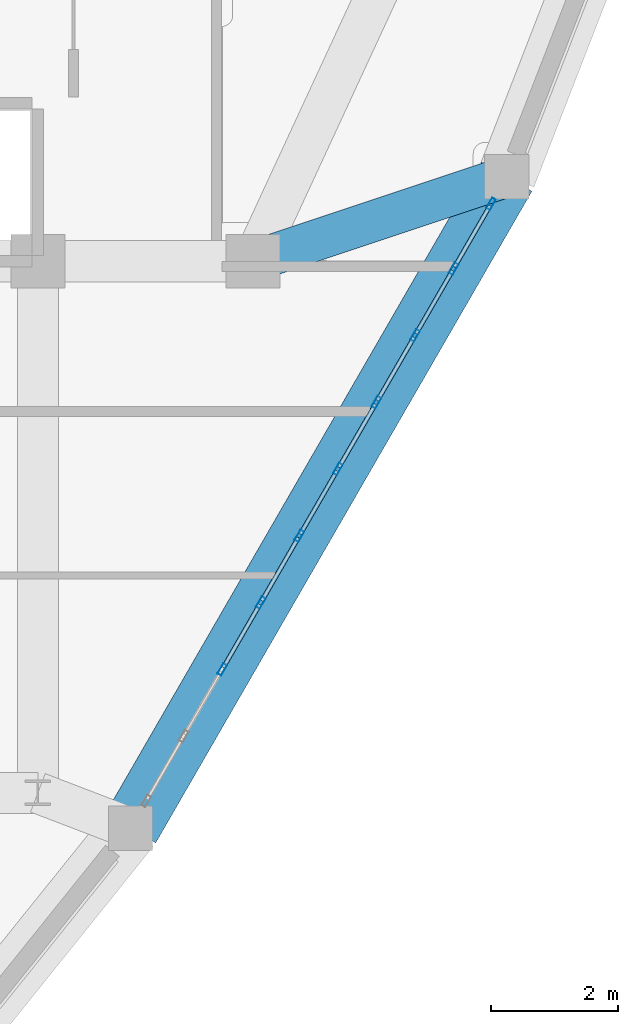
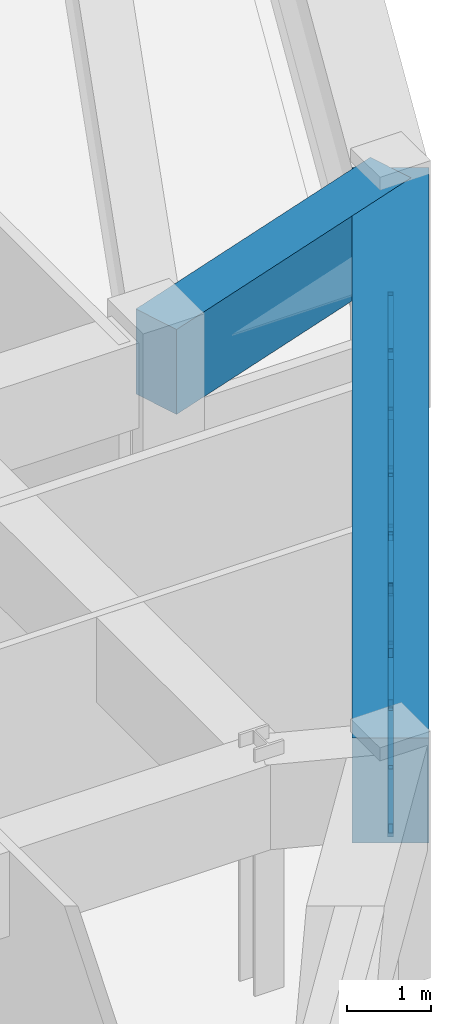
# One storey, part 7 of 14: 24 members, 2 beams, 1 element without a shape of its own.
"""IFC4 building model written with IfcOpenShell, lengths in metres."""

from ifc_helpers import new_model, si_unit, derived_unit, direction, frame, origin, origin_2d, place, context, subcontext, project, spatial, rectangle, hollow_rectangle, extrude, source, transform, mapped, material, layer, layer_set, material_profile, profile_set, type_object, element, aggregate, save


model = new_model("IFC4")

# Units and contexts
model_context = context("Model", 3, precision=1e-05, world=origin(), true_north=direction((0.0, 1.0)))
body_context = subcontext(model_context, "Body", "Model", "MODEL_VIEW")
ifc_project = project(units=[si_unit("LENGTHUNIT", "METRE"), si_unit("AREAUNIT", "SQUARE_METRE"), si_unit("VOLUMEUNIT", "CUBIC_METRE"), si_unit("PLANEANGLEUNIT", "RADIAN"), si_unit("MASSUNIT", "GRAM", prefix="KILO"), derived_unit("THERMALTRANSMITTANCEUNIT", [(si_unit("POWERUNIT", "WATT"), 1), (si_unit("LENGTHUNIT", "METRE"), -2), (si_unit("THERMODYNAMICTEMPERATUREUNIT", "KELVIN"), -1)])], contexts=[model_context])

# Site, building, storey
site_placement = place(None, origin())
site = spatial("IfcSite", under=ifc_project, at=site_placement, CompositionType="ELEMENT")
building_placement = place(site_placement, origin())
building = spatial("IfcBuilding", under=site, at=building_placement, Name="Korsvarv Bourse and Concert Hall", CompositionType="ELEMENT")
storey_placement = place(building_placement, frame((0.0, 0.0, 257.39990234375)))
storey = spatial("IfcBuildingStorey", under=building, at=storey_placement, Name="L67", CompositionType="ELEMENT", Elevation=257.39990234375)

# Beams
ifc_material_1 = material(Name="Concrete C50/60", Category="concrete")
ifc_material_profile_1 = material_profile(ifc_material_1, rectangle(XDim=0.919921875, YDim=1.530029296875, at=origin_2d()), Name="RC-BM 920x1530")
ifc_profile_set_1 = profile_set([ifc_material_profile_1], Name="Concrete C50/60")
beam_type_1 = type_object("IfcBeamType", Name="BM-TR-154", PredefinedType="BEAM", material=ifc_profile_set_1)
shared_shape_1 = source(origin(), body_context, "Body", "SweptSolid", [
    extrude(rectangle(XDim=0.919921875, YDim=1.530029296875, at=origin_2d()), origin(), (0.0, 0.0, 1.0), 11.8916015625),
])
beam_1_placement = place(storey_placement, frame((45.864013671875, 23.439453125, 2.64501953125), z_axis=(0.500003248124, 0.866023528471, 0.0), x_axis=(-0.866023528471, 0.500003248124, 0.0)))
element("IfcBeam", 1, at=beam_1_placement, inside=storey, type_object=beam_type_1, Name="L67 beam B-TR6", PredefinedType="BEAM", context=body_context, shape_type="MappedRepresentation", body=[
    mapped(shared_shape_1, transform((0.0, 0.0, 0.0), scale=1.0)),
])
ifc_material_profile_2 = material_profile(ifc_material_1, rectangle(XDim=0.64990234375, YDim=1.239990234375, at=origin_2d()), Name="RC-BM 650x1240")
ifc_profile_set_2 = profile_set([ifc_material_profile_2], Name="Concrete C50/60")
beam_type_2 = type_object("IfcBeamType", Name="BM-TR-SPN", PredefinedType="BEAM", material=ifc_profile_set_2)
shared_shape_2 = source(origin(), body_context, "Body", "SweptSolid", [
    extrude(rectangle(XDim=0.64990234375, YDim=1.239990234375, at=origin_2d()), origin(), (0.0, 0.0, 1.0), 4.22705078125),
])
beam_2_placement = place(storey_placement, frame((51.809814453125, 33.73779296875, 2.7900390625), z_axis=(-0.948590847329, -0.316504983157, 0.0), x_axis=(0.316504983157, -0.948590847329, 0.0)))
element("IfcBeam", 2, at=beam_2_placement, inside=storey, type_object=beam_type_2, Name="L67 beam B-TRS", PredefinedType="BEAM", context=body_context, shape_type="MappedRepresentation", body=[
    mapped(shared_shape_2, transform((0.0, 0.0, 0.0), scale=1.0)),
])

# Curtain wall, members
ifc_material_2 = material(Name="Anodised aluminium and triple low-E glazing", Category="glass")
ifc_layer = layer(ifc_material_2, 0.199951171875)
ifc_layer_set = layer_set([ifc_layer], Name="Anodised aluminium and triple low-E glazing")
curtain_wall_type = type_object("IfcCurtainWallType", Name="CW-SYS-3", PredefinedType="NOTDEFINED", material=ifc_layer_set)
curtain_wall_placement = place(storey_placement, origin())
curtain_wall = element("IfcCurtainWall", 3, at=curtain_wall_placement, inside=storey, type_object=curtain_wall_type, Name="L67 CW3 curtain wall CW-L67-F11", PredefinedType="NOTDEFINED")
ifc_material_3 = material(Name="Extruded aluminium EN AW-6063 T66", Category="aluminium")
ifc_material_profile_3 = material_profile(ifc_material_3, hollow_rectangle(XDim=0.06494140625, YDim=0.139892578125, WallThickness=0.00390625, at=origin_2d()), Name="ALU-T 65x140")
ifc_profile_set_3 = profile_set([ifc_material_profile_3], Name="Extruded aluminium EN AW-6063 T66")
member_type_1 = type_object("IfcMemberType", Name="CWT-140", PredefinedType="USERDEFINED", material=ifc_profile_set_3)
shared_shape_3 = source(origin(), body_context, "Body", "SweptSolid", [
    extrude(hollow_rectangle(XDim=0.06494140625, YDim=0.139892578125, WallThickness=0.00390625, at=origin_2d()), origin(), (0.0, 0.0, 1.0), 1.113525390625),
])
member_1_placement = place(storey_placement, frame((50.987060546875, 32.312744140625, 0.03271484375), z_axis=(0.499912255713, 0.866076057046, 0.0), x_axis=(-0.866076057046, 0.499912255713, 0.0)))
member_1 = element("IfcMember", 4, at=member_1_placement, type_object=member_type_1, Name="CW3 transom 9.1", ObjectType="TRANSOM", PredefinedType="USERDEFINED", context=body_context, shape_type="MappedRepresentation", body=[
    mapped(shared_shape_3, transform((0.0, 0.0, 0.0), scale=1.0)),
])
member_2_placement = place(storey_placement, frame((50.987060546875, 32.312744140625, 1.84765625), z_axis=(0.499912255713, 0.866076057046, 0.0), x_axis=(-0.866076057046, 0.499912255713, 0.0)))
member_2 = element("IfcMember", 5, at=member_2_placement, type_object=member_type_1, Name="CW3 transom 9.2", ObjectType="TRANSOM", PredefinedType="USERDEFINED", context=body_context, shape_type="MappedRepresentation", body=[
    mapped(shared_shape_3, transform((0.0, 0.0, 0.0), scale=1.0)),
])
shared_shape_4 = source(origin(), body_context, "Body", "SweptSolid", [
    extrude(hollow_rectangle(XDim=0.06494140625, YDim=0.139892578125, WallThickness=0.00390625, at=origin_2d()), origin(), (0.0, 0.0, 1.0), 1.1484375),
])
member_3_placement = place(storey_placement, frame((48.5498046875, 28.09130859375, 0.03271484375), z_axis=(0.499980071345, 0.866036909293, 0.0), x_axis=(-0.866036909293, 0.499980071345, 0.0)))
member_3 = element("IfcMember", 6, at=member_3_placement, type_object=member_type_1, Name="CW3 transom 5.1", ObjectType="TRANSOM", PredefinedType="USERDEFINED", context=body_context, shape_type="MappedRepresentation", body=[
    mapped(shared_shape_4, transform((0.0, 0.0, 0.0), scale=1.0)),
])
member_4_placement = place(storey_placement, frame((48.5498046875, 28.09130859375, 1.84765625), z_axis=(0.499980071345, 0.866036909293, 0.0), x_axis=(-0.866036909293, 0.499980071345, 0.0)))
member_4 = element("IfcMember", 7, at=member_4_placement, type_object=member_type_1, Name="CW3 transom 5.2", ObjectType="TRANSOM", PredefinedType="USERDEFINED", context=body_context, shape_type="MappedRepresentation", body=[
    mapped(shared_shape_4, transform((0.0, 0.0, 0.0), scale=1.0)),
])
shared_shape_5 = source(origin(), body_context, "Body", "SweptSolid", [
    extrude(hollow_rectangle(XDim=0.06494140625, YDim=0.139892578125, WallThickness=0.00390625, at=origin_2d()), origin(), (0.0, 0.0, 1.0), 1.148681640625),
])
member_5_placement = place(storey_placement, frame((47.3310546875, 25.98046875, 0.03271484375), z_axis=(0.49988803956, 0.866090034526, 0.0), x_axis=(-0.866090034526, 0.49988803956, 0.0)))
member_5 = element("IfcMember", 8, at=member_5_placement, type_object=member_type_1, Name="CW3 transom 3.1", ObjectType="TRANSOM", PredefinedType="USERDEFINED", context=body_context, shape_type="MappedRepresentation", body=[
    mapped(shared_shape_5, transform((0.0, 0.0, 0.0), scale=1.0)),
])
member_6_placement = place(storey_placement, frame((47.3310546875, 25.98046875, 1.84765625), z_axis=(0.49988803956, 0.866090034526, 0.0), x_axis=(-0.866090034526, 0.49988803956, 0.0)))
member_6 = element("IfcMember", 9, at=member_6_placement, type_object=member_type_1, Name="CW3 transom 3.2", ObjectType="TRANSOM", PredefinedType="USERDEFINED", context=body_context, shape_type="MappedRepresentation", body=[
    mapped(shared_shape_5, transform((0.0, 0.0, 0.0), scale=1.0)),
])
member_7_placement = place(storey_placement, frame((47.9404296875, 27.035888671875, 0.03271484375), z_axis=(0.49988803956, 0.866090034526, 0.0), x_axis=(-0.866090034526, 0.49988803956, 0.0)))
member_7 = element("IfcMember", 10, at=member_7_placement, type_object=member_type_1, Name="CW3 transom 4.1", ObjectType="TRANSOM", PredefinedType="USERDEFINED", context=body_context, shape_type="MappedRepresentation", body=[
    mapped(shared_shape_5, transform((0.0, 0.0, 0.0), scale=1.0)),
])
member_8_placement = place(storey_placement, frame((47.9404296875, 27.035888671875, 1.84765625), z_axis=(0.49988803956, 0.866090034526, 0.0), x_axis=(-0.866090034526, 0.49988803956, 0.0)))
member_8 = element("IfcMember", 11, at=member_8_placement, type_object=member_type_1, Name="CW3 transom 4.2", ObjectType="TRANSOM", PredefinedType="USERDEFINED", context=body_context, shape_type="MappedRepresentation", body=[
    mapped(shared_shape_5, transform((0.0, 0.0, 0.0), scale=1.0)),
])
member_9_placement = place(storey_placement, frame((49.158935546875, 29.146728515625, 0.03271484375), z_axis=(0.500139482584, 0.865944858499, 0.0), x_axis=(-0.865944858499, 0.500139482584, 0.0)))
member_9 = element("IfcMember", 12, at=member_9_placement, type_object=member_type_1, Name="CW3 transom 6.1", ObjectType="TRANSOM", PredefinedType="USERDEFINED", context=body_context, shape_type="MappedRepresentation", body=[
    mapped(shared_shape_5, transform((0.0, 0.0, 0.0), scale=1.0)),
])
member_10_placement = place(storey_placement, frame((49.158935546875, 29.146728515625, 1.84765625), z_axis=(0.500139482584, 0.865944858499, 0.0), x_axis=(-0.865944858499, 0.500139482584, 0.0)))
member_10 = element("IfcMember", 13, at=member_10_placement, type_object=member_type_1, Name="CW3 transom 6.2", ObjectType="TRANSOM", PredefinedType="USERDEFINED", context=body_context, shape_type="MappedRepresentation", body=[
    mapped(shared_shape_5, transform((0.0, 0.0, 0.0), scale=1.0)),
])
member_11_placement = place(storey_placement, frame((50.377685546875, 31.25732421875, 0.03271484375), z_axis=(0.49988803956, 0.866090034526, 0.0), x_axis=(-0.866090034526, 0.49988803956, 0.0)))
member_11 = element("IfcMember", 14, at=member_11_placement, type_object=member_type_1, Name="CW3 transom 8.1", ObjectType="TRANSOM", PredefinedType="USERDEFINED", context=body_context, shape_type="MappedRepresentation", body=[
    mapped(shared_shape_5, transform((0.0, 0.0, 0.0), scale=1.0)),
])
member_12_placement = place(storey_placement, frame((50.377685546875, 31.25732421875, 1.84765625), z_axis=(0.49988803956, 0.866090034526, 0.0), x_axis=(-0.866090034526, 0.49988803956, 0.0)))
member_12 = element("IfcMember", 15, at=member_12_placement, type_object=member_type_1, Name="CW3 transom 8.2", ObjectType="TRANSOM", PredefinedType="USERDEFINED", context=body_context, shape_type="MappedRepresentation", body=[
    mapped(shared_shape_5, transform((0.0, 0.0, 0.0), scale=1.0)),
])
ifc_material_profile_4 = material_profile(ifc_material_3, hollow_rectangle(XDim=0.070068359375, YDim=0.18994140625, WallThickness=0.0048828125, at=origin_2d()), Name="ALU-M 70x190")
ifc_profile_set_4 = profile_set([ifc_material_profile_4], Name="Extruded aluminium EN AW-6063 T66")
member_type_2 = type_object("IfcMemberType", Name="CWM-190", PredefinedType="MULLION", material=ifc_profile_set_4)
shared_shape_6 = source(origin(), body_context, "Body", "SweptSolid", [
    extrude(hollow_rectangle(XDim=0.070068359375, YDim=0.18994140625, WallThickness=0.0048828125, at=origin_2d()), origin(), (0.0, 0.0, 1.0), 1.880126953125),
])
member_13_placement = place(storey_placement, frame((47.3134765625, 25.9501953125, 0.0), z_axis=(0.0, 0.0, 1.0), x_axis=(-0.866023274265, 0.500003688417, 0.0)))
member_13 = element("IfcMember", 16, at=member_13_placement, type_object=member_type_2, Name="CW3 mullion 3", PredefinedType="MULLION", context=body_context, shape_type="MappedRepresentation", body=[
    mapped(shared_shape_6, transform((0.0, 0.0, 0.0), scale=1.0)),
])
member_14_placement = place(storey_placement, frame((47.9228515625, 27.005615234375, 0.0), z_axis=(0.0, 0.0, 1.0), x_axis=(-0.866023274265, 0.500003688417, 0.0)))
member_14 = element("IfcMember", 17, at=member_14_placement, type_object=member_type_2, Name="CW3 mullion 4", PredefinedType="MULLION", context=body_context, shape_type="MappedRepresentation", body=[
    mapped(shared_shape_6, transform((0.0, 0.0, 0.0), scale=1.0)),
])
member_15_placement = place(storey_placement, frame((48.5322265625, 28.06103515625, 0.0), z_axis=(0.0, 0.0, 1.0), x_axis=(-0.866023274265, 0.500003688417, 0.0)))
member_15 = element("IfcMember", 18, at=member_15_placement, type_object=member_type_2, Name="CW3 mullion 5", PredefinedType="MULLION", context=body_context, shape_type="MappedRepresentation", body=[
    mapped(shared_shape_6, transform((0.0, 0.0, 0.0), scale=1.0)),
])
member_16_placement = place(storey_placement, frame((49.1416015625, 29.116455078125, 0.0), z_axis=(0.0, 0.0, 1.0), x_axis=(-0.866023274265, 0.500003688417, 0.0)))
member_16 = element("IfcMember", 19, at=member_16_placement, type_object=member_type_2, Name="CW3 mullion 6", PredefinedType="MULLION", context=body_context, shape_type="MappedRepresentation", body=[
    mapped(shared_shape_6, transform((0.0, 0.0, 0.0), scale=1.0)),
])
member_17_placement = place(storey_placement, frame((49.750732421875, 30.171630859375, 0.0), z_axis=(0.0, 0.0, 1.0), x_axis=(-0.866023274265, 0.500003688417, 0.0)))
member_17 = element("IfcMember", 20, at=member_17_placement, type_object=member_type_2, Name="CW3 mullion 7", PredefinedType="MULLION", context=body_context, shape_type="MappedRepresentation", body=[
    mapped(shared_shape_6, transform((0.0, 0.0, 0.0), scale=1.0)),
])
member_18_placement = place(storey_placement, frame((50.360107421875, 31.22705078125, 0.0), z_axis=(0.0, 0.0, 1.0), x_axis=(-0.866023274265, 0.500003688417, 0.0)))
member_18 = element("IfcMember", 21, at=member_18_placement, type_object=member_type_2, Name="CW3 mullion 8", PredefinedType="MULLION", context=body_context, shape_type="MappedRepresentation", body=[
    mapped(shared_shape_6, transform((0.0, 0.0, 0.0), scale=1.0)),
])
member_19_placement = place(storey_placement, frame((50.969482421875, 32.282470703125, 0.0), z_axis=(0.0, 0.0, 1.0), x_axis=(-0.866023274265, 0.500003688417, 0.0)))
member_19 = element("IfcMember", 22, at=member_19_placement, type_object=member_type_2, Name="CW3 mullion 9", PredefinedType="MULLION", context=body_context, shape_type="MappedRepresentation", body=[
    mapped(shared_shape_6, transform((0.0, 0.0, 0.0), scale=1.0)),
])
member_20_placement = place(storey_placement, frame((51.561279296875, 33.307373046875, 0.0), z_axis=(0.0, 0.0, 1.0), x_axis=(-0.866023274265, 0.500003688417, 0.0)))
member_20 = element("IfcMember", 23, at=member_20_placement, type_object=member_type_2, Name="CW3 mullion 10", PredefinedType="MULLION", context=body_context, shape_type="MappedRepresentation", body=[
    mapped(shared_shape_6, transform((0.0, 0.0, 0.0), scale=1.0)),
])
ifc_material_profile_5 = material_profile(ifc_material_3, hollow_rectangle(XDim=0.06494140625, YDim=0.1650390625, WallThickness=0.0048828125, at=origin_2d()), Name="ALU-M 65x165")
ifc_profile_set_5 = profile_set([ifc_material_profile_5], Name="Extruded aluminium EN AW-6063 T66")
member_type_3 = type_object("IfcMemberType", Name="CWM-165", PredefinedType="MULLION", material=ifc_profile_set_5)
shared_shape_7 = source(origin(), body_context, "Body", "SweptSolid", [
    extrude(hollow_rectangle(XDim=0.06494140625, YDim=0.1650390625, WallThickness=0.0048828125, at=origin_2d()), origin(), (0.0, 0.0, 1.0), 2.09326171875),
])
member_21_placement = place(storey_placement, frame((49.1240234375, 29.0859375, 0.065185546875), z_axis=(-0.274324929215, -0.475169966676, 0.836037879513), x_axis=(0.866036909293, -0.499980071345, 0.0)))
member_21 = element("IfcMember", 24, at=member_21_placement, type_object=member_type_3, Name="CW3 diagonal mullion 5", PredefinedType="MULLION", context=body_context, shape_type="MappedRepresentation", body=[
    mapped(shared_shape_7, transform((0.0, 0.0, 0.0), scale=1.0)),
])
member_22_placement = place(storey_placement, frame((50.377685546875, 31.25732421875, 0.065185546875), z_axis=(0.274309725161, 0.475260259367, 0.835991543348), x_axis=(-0.866090034526, 0.49988803956, 0.0)))
member_22 = element("IfcMember", 25, at=member_22_placement, type_object=member_type_3, Name="CW3 diagonal mullion 8", PredefinedType="MULLION", context=body_context, shape_type="MappedRepresentation", body=[
    mapped(shared_shape_7, transform((0.0, 0.0, 0.0), scale=1.0)),
])
shared_shape_8 = source(origin(), body_context, "Body", "SweptSolid", [
    extrude(hollow_rectangle(XDim=0.06494140625, YDim=0.139892578125, WallThickness=0.00390625, at=origin_2d()), origin(), (0.0, 0.0, 1.0), 1.14892578125),
])
member_23_placement = place(storey_placement, frame((49.768310546875, 30.201904296875, 0.03271484375), z_axis=(0.50004744102, 0.865998011966, 0.0), x_axis=(-0.865998011966, 0.50004744102, 0.0)))
member_23 = element("IfcMember", 26, at=member_23_placement, type_object=member_type_1, Name="CW3 transom 7.1", ObjectType="TRANSOM", PredefinedType="USERDEFINED", context=body_context, shape_type="MappedRepresentation", body=[
    mapped(shared_shape_8, transform((0.0, 0.0, 0.0), scale=1.0)),
])
member_24_placement = place(storey_placement, frame((49.768310546875, 30.201904296875, 1.84765625), z_axis=(0.50004744102, 0.865998011966, 0.0), x_axis=(-0.865998011966, 0.50004744102, 0.0)))
member_24 = element("IfcMember", 27, at=member_24_placement, type_object=member_type_1, Name="CW3 transom 7.2", ObjectType="TRANSOM", PredefinedType="USERDEFINED", context=body_context, shape_type="MappedRepresentation", body=[
    mapped(shared_shape_8, transform((0.0, 0.0, 0.0), scale=1.0)),
])
aggregate(curtain_wall, [member_13, member_14, member_15, member_16, member_17, member_18, member_19, member_20, member_5, member_6, member_7, member_8, member_3, member_4, member_21, member_9, member_10, member_23, member_24, member_11, member_12, member_22, member_1, member_2])

save(model, "model.ifc")
